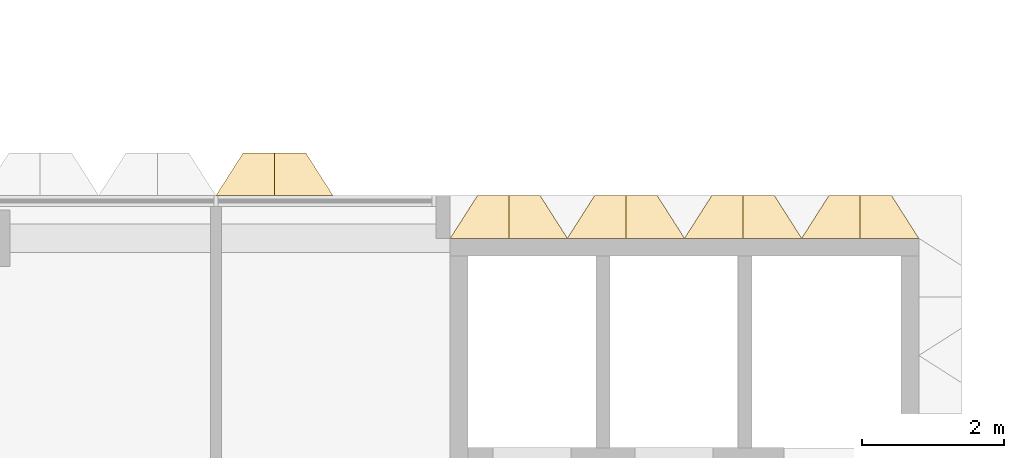
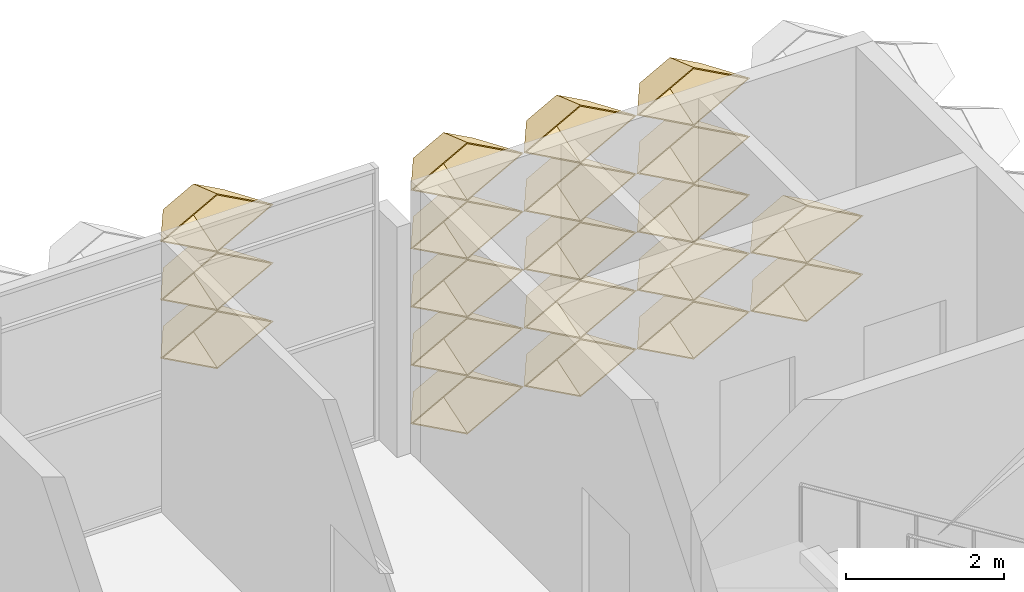
# One storey, part 37 of 39: 20 coverings.
"""IFC4 building model written with IfcOpenShell, lengths in metres."""

from ifc_helpers import new_model, entity, si_unit, direction, frame, origin, place, context, subcontext, project, spatial, material, layer, layer_set, type_object, element, save


model = new_model("IFC4")

# Units and contexts
model_context = context("Model", 3, precision=1e-05, world=origin(), true_north=direction((0.0, 1.0)))
body_context = subcontext(model_context, "Body", "Model", "MODEL_VIEW")
ifc_project = project(units=[si_unit("LENGTHUNIT", "METRE"), si_unit("AREAUNIT", "SQUARE_METRE"), si_unit("VOLUMEUNIT", "CUBIC_METRE"), si_unit("PLANEANGLEUNIT", "RADIAN"), si_unit("MASSUNIT", "GRAM", prefix="KILO")], contexts=[model_context])

# Site, building, storey
site_placement = place(None, origin())
site = spatial("IfcSite", under=ifc_project, at=site_placement, CompositionType="ELEMENT")
building_placement = place(site_placement, origin())
building = spatial("IfcBuilding", under=site, at=building_placement, Name="Lantern Court Research Institute", CompositionType="ELEMENT")
storey_placement = place(building_placement, frame((0.0, 0.0, 27.89990234375)))
storey = spatial("IfcBuildingStorey", under=building, at=storey_placement, Name="L06", CompositionType="ELEMENT", Elevation=27.89990234375)

# Coverings
ifc_material = material(Name="Anodised aluminium", Category="aluminium")
ifc_layer = layer(ifc_material, 0.01611328125)
ifc_layer_set = layer_set([ifc_layer], Name="Anodised aluminium")
covering_type = type_object("IfcCoveringType", Name="Fin cassette 1650 x 900 x 600 aluminium", PredefinedType="CLADDING", material=ifc_layer_set)
covering_1_placement = place(storey_placement, frame((73.425048828125, 23.10009765625, 0.4501953125), z_axis=(0.0, 1.0, 0.0), x_axis=(-1.0, 0.0, 0.0)))
cartesian_point_1 = entity("IfcCartesianPoint", [0.824951171875, 0.0])
cartesian_point_2 = entity("IfcCartesianPoint", [0.79150390625, 0.0])
cartesian_point_3 = entity("IfcCartesianPoint", [0.44189453125, 0.0])
cartesian_point_4 = entity("IfcCartesianPoint", [0.43359375, 0.0])
element("IfcCovering", 1, at=covering_1_placement, inside=storey, type_object=covering_type, Name="Fin cassette V5N-L06 1.45", PredefinedType="CLADDING", context=body_context, shape_type="SweptSolid", body=[
    entity("IfcExtrudedAreaSolidTapered", entity("IfcArbitraryProfileDefWithVoids", "AREA", None, entity("IfcPolyline", [cartesian_point_1, entity("IfcCartesianPoint", [0.0, 0.449951171875]), entity("IfcCartesianPoint", [-0.824951171875, 0.0]), entity("IfcCartesianPoint", [0.0, -0.449951171875]), cartesian_point_1]), [entity("IfcPolyline", [cartesian_point_2, entity("IfcCartesianPoint", [0.0, 0.431884765625]), entity("IfcCartesianPoint", [-0.79150390625, 0.0]), entity("IfcCartesianPoint", [0.0, -0.431884765625]), cartesian_point_2])]), entity("IfcAxis2Placement3D", entity("IfcCartesianPoint", [0.0, 0.0, 0.0])), entity("IfcDirection", [0.0, 0.0, 1.0]), 0.60009765625, entity("IfcArbitraryProfileDefWithVoids", "AREA", None, entity("IfcPolyline", [cartesian_point_3, entity("IfcCartesianPoint", [0.0, 0.240966796875]), entity("IfcCartesianPoint", [-0.44189453125, 0.0]), entity("IfcCartesianPoint", [0.0, -0.240966796875]), cartesian_point_3]), [entity("IfcPolyline", [cartesian_point_4, entity("IfcCartesianPoint", [0.0, 0.236572265625]), entity("IfcCartesianPoint", [-0.43359375, 0.0]), entity("IfcCartesianPoint", [0.0, -0.236572265625]), cartesian_point_4])])),
])
covering_2_placement = place(storey_placement, frame((75.074951171875, 23.10009765625, 0.4501953125), z_axis=(0.0, 1.0, 0.0), x_axis=(-1.0, 0.0, 0.0)))
cartesian_point_5 = entity("IfcCartesianPoint", [0.824951171875, 0.0])
cartesian_point_6 = entity("IfcCartesianPoint", [0.79150390625, 0.0])
cartesian_point_7 = entity("IfcCartesianPoint", [0.44189453125, 0.0])
cartesian_point_8 = entity("IfcCartesianPoint", [0.43359375, 0.0])
element("IfcCovering", 2, at=covering_2_placement, inside=storey, type_object=covering_type, Name="Fin cassette V5N-L06 1.46", PredefinedType="CLADDING", context=body_context, shape_type="SweptSolid", body=[
    entity("IfcExtrudedAreaSolidTapered", entity("IfcArbitraryProfileDefWithVoids", "AREA", None, entity("IfcPolyline", [cartesian_point_5, entity("IfcCartesianPoint", [0.0, 0.449951171875]), entity("IfcCartesianPoint", [-0.824951171875, 0.0]), entity("IfcCartesianPoint", [0.0, -0.449951171875]), cartesian_point_5]), [entity("IfcPolyline", [cartesian_point_6, entity("IfcCartesianPoint", [0.0, 0.431884765625]), entity("IfcCartesianPoint", [-0.79150390625, 0.0]), entity("IfcCartesianPoint", [0.0, -0.431884765625]), cartesian_point_6])]), entity("IfcAxis2Placement3D", entity("IfcCartesianPoint", [0.0, 0.0, 0.0])), entity("IfcDirection", [0.0, 0.0, 1.0]), 0.60009765625, entity("IfcArbitraryProfileDefWithVoids", "AREA", None, entity("IfcPolyline", [cartesian_point_7, entity("IfcCartesianPoint", [0.0, 0.240966796875]), entity("IfcCartesianPoint", [-0.44189453125, 0.0]), entity("IfcCartesianPoint", [0.0, -0.240966796875]), cartesian_point_7]), [entity("IfcPolyline", [cartesian_point_8, entity("IfcCartesianPoint", [0.0, 0.236572265625]), entity("IfcCartesianPoint", [-0.43359375, 0.0]), entity("IfcCartesianPoint", [0.0, -0.236572265625]), cartesian_point_8])])),
])
covering_3_placement = place(storey_placement, frame((76.72509765625, 23.10009765625, 0.4501953125), z_axis=(0.0, 1.0, 0.0), x_axis=(-1.0, 0.0, 0.0)))
cartesian_point_9 = entity("IfcCartesianPoint", [0.824951171875, 0.0])
cartesian_point_10 = entity("IfcCartesianPoint", [0.79150390625, 0.0])
cartesian_point_11 = entity("IfcCartesianPoint", [0.44189453125, 0.0])
cartesian_point_12 = entity("IfcCartesianPoint", [0.43359375, 0.0])
element("IfcCovering", 3, at=covering_3_placement, inside=storey, type_object=covering_type, Name="Fin cassette V5N-L06 1.47", PredefinedType="CLADDING", context=body_context, shape_type="SweptSolid", body=[
    entity("IfcExtrudedAreaSolidTapered", entity("IfcArbitraryProfileDefWithVoids", "AREA", None, entity("IfcPolyline", [cartesian_point_9, entity("IfcCartesianPoint", [0.0, 0.449951171875]), entity("IfcCartesianPoint", [-0.824951171875, 0.0]), entity("IfcCartesianPoint", [0.0, -0.449951171875]), cartesian_point_9]), [entity("IfcPolyline", [cartesian_point_10, entity("IfcCartesianPoint", [0.0, 0.431884765625]), entity("IfcCartesianPoint", [-0.79150390625, 0.0]), entity("IfcCartesianPoint", [0.0, -0.431884765625]), cartesian_point_10])]), entity("IfcAxis2Placement3D", entity("IfcCartesianPoint", [0.0, 0.0, 0.0])), entity("IfcDirection", [0.0, 0.0, 1.0]), 0.60009765625, entity("IfcArbitraryProfileDefWithVoids", "AREA", None, entity("IfcPolyline", [cartesian_point_11, entity("IfcCartesianPoint", [0.0, 0.240966796875]), entity("IfcCartesianPoint", [-0.44189453125, 0.0]), entity("IfcCartesianPoint", [0.0, -0.240966796875]), cartesian_point_11]), [entity("IfcPolyline", [cartesian_point_12, entity("IfcCartesianPoint", [0.0, 0.236572265625]), entity("IfcCartesianPoint", [-0.43359375, 0.0]), entity("IfcCartesianPoint", [0.0, -0.236572265625]), cartesian_point_12])])),
])
covering_4_placement = place(storey_placement, frame((78.375, 23.10009765625, 0.4501953125), z_axis=(0.0, 1.0, 0.0), x_axis=(-1.0, 0.0, 0.0)))
cartesian_point_13 = entity("IfcCartesianPoint", [0.824951171875, 0.0])
cartesian_point_14 = entity("IfcCartesianPoint", [0.79150390625, 0.0])
cartesian_point_15 = entity("IfcCartesianPoint", [0.44189453125, 0.0])
cartesian_point_16 = entity("IfcCartesianPoint", [0.43359375, 0.0])
element("IfcCovering", 4, at=covering_4_placement, inside=storey, type_object=covering_type, Name="Fin cassette V5N-L06 1.48", PredefinedType="CLADDING", context=body_context, shape_type="SweptSolid", body=[
    entity("IfcExtrudedAreaSolidTapered", entity("IfcArbitraryProfileDefWithVoids", "AREA", None, entity("IfcPolyline", [cartesian_point_13, entity("IfcCartesianPoint", [0.0, 0.449951171875]), entity("IfcCartesianPoint", [-0.824951171875, 0.0]), entity("IfcCartesianPoint", [0.0, -0.449951171875]), cartesian_point_13]), [entity("IfcPolyline", [cartesian_point_14, entity("IfcCartesianPoint", [0.0, 0.431884765625]), entity("IfcCartesianPoint", [-0.79150390625, 0.0]), entity("IfcCartesianPoint", [0.0, -0.431884765625]), cartesian_point_14])]), entity("IfcAxis2Placement3D", entity("IfcCartesianPoint", [0.0, 0.0, 0.0])), entity("IfcDirection", [0.0, 0.0, 1.0]), 0.60009765625, entity("IfcArbitraryProfileDefWithVoids", "AREA", None, entity("IfcPolyline", [cartesian_point_15, entity("IfcCartesianPoint", [0.0, 0.240966796875]), entity("IfcCartesianPoint", [-0.44189453125, 0.0]), entity("IfcCartesianPoint", [0.0, -0.240966796875]), cartesian_point_15]), [entity("IfcPolyline", [cartesian_point_16, entity("IfcCartesianPoint", [0.0, 0.236572265625]), entity("IfcCartesianPoint", [-0.43359375, 0.0]), entity("IfcCartesianPoint", [0.0, -0.236572265625]), cartesian_point_16])])),
])
covering_5_placement = place(storey_placement, frame((73.425048828125, 23.10009765625, 1.35009765625), z_axis=(0.0, 1.0, 0.0), x_axis=(-1.0, 0.0, 0.0)))
cartesian_point_17 = entity("IfcCartesianPoint", [0.824951171875, 0.0])
cartesian_point_18 = entity("IfcCartesianPoint", [0.79150390625, 0.0])
cartesian_point_19 = entity("IfcCartesianPoint", [0.44189453125, 0.0])
cartesian_point_20 = entity("IfcCartesianPoint", [0.43359375, 0.0])
element("IfcCovering", 5, at=covering_5_placement, inside=storey, type_object=covering_type, Name="Fin cassette V5N-L06 2.45", PredefinedType="CLADDING", context=body_context, shape_type="SweptSolid", body=[
    entity("IfcExtrudedAreaSolidTapered", entity("IfcArbitraryProfileDefWithVoids", "AREA", None, entity("IfcPolyline", [cartesian_point_17, entity("IfcCartesianPoint", [0.0, 0.449951171875]), entity("IfcCartesianPoint", [-0.824951171875, 0.0]), entity("IfcCartesianPoint", [0.0, -0.449951171875]), cartesian_point_17]), [entity("IfcPolyline", [cartesian_point_18, entity("IfcCartesianPoint", [0.0, 0.431884765625]), entity("IfcCartesianPoint", [-0.79150390625, 0.0]), entity("IfcCartesianPoint", [0.0, -0.431884765625]), cartesian_point_18])]), entity("IfcAxis2Placement3D", entity("IfcCartesianPoint", [0.0, 0.0, 0.0])), entity("IfcDirection", [0.0, 0.0, 1.0]), 0.60009765625, entity("IfcArbitraryProfileDefWithVoids", "AREA", None, entity("IfcPolyline", [cartesian_point_19, entity("IfcCartesianPoint", [0.0, 0.240966796875]), entity("IfcCartesianPoint", [-0.44189453125, 0.0]), entity("IfcCartesianPoint", [0.0, -0.240966796875]), cartesian_point_19]), [entity("IfcPolyline", [cartesian_point_20, entity("IfcCartesianPoint", [0.0, 0.236572265625]), entity("IfcCartesianPoint", [-0.43359375, 0.0]), entity("IfcCartesianPoint", [0.0, -0.236572265625]), cartesian_point_20])])),
])
covering_6_placement = place(storey_placement, frame((75.074951171875, 23.10009765625, 1.35009765625), z_axis=(0.0, 1.0, 0.0), x_axis=(-1.0, 0.0, 0.0)))
cartesian_point_21 = entity("IfcCartesianPoint", [0.824951171875, 0.0])
cartesian_point_22 = entity("IfcCartesianPoint", [0.79150390625, 0.0])
cartesian_point_23 = entity("IfcCartesianPoint", [0.44189453125, 0.0])
cartesian_point_24 = entity("IfcCartesianPoint", [0.43359375, 0.0])
element("IfcCovering", 6, at=covering_6_placement, inside=storey, type_object=covering_type, Name="Fin cassette V5N-L06 2.46", PredefinedType="CLADDING", context=body_context, shape_type="SweptSolid", body=[
    entity("IfcExtrudedAreaSolidTapered", entity("IfcArbitraryProfileDefWithVoids", "AREA", None, entity("IfcPolyline", [cartesian_point_21, entity("IfcCartesianPoint", [0.0, 0.449951171875]), entity("IfcCartesianPoint", [-0.824951171875, 0.0]), entity("IfcCartesianPoint", [0.0, -0.449951171875]), cartesian_point_21]), [entity("IfcPolyline", [cartesian_point_22, entity("IfcCartesianPoint", [0.0, 0.431884765625]), entity("IfcCartesianPoint", [-0.79150390625, 0.0]), entity("IfcCartesianPoint", [0.0, -0.431884765625]), cartesian_point_22])]), entity("IfcAxis2Placement3D", entity("IfcCartesianPoint", [0.0, 0.0, 0.0])), entity("IfcDirection", [0.0, 0.0, 1.0]), 0.60009765625, entity("IfcArbitraryProfileDefWithVoids", "AREA", None, entity("IfcPolyline", [cartesian_point_23, entity("IfcCartesianPoint", [0.0, 0.240966796875]), entity("IfcCartesianPoint", [-0.44189453125, 0.0]), entity("IfcCartesianPoint", [0.0, -0.240966796875]), cartesian_point_23]), [entity("IfcPolyline", [cartesian_point_24, entity("IfcCartesianPoint", [0.0, 0.236572265625]), entity("IfcCartesianPoint", [-0.43359375, 0.0]), entity("IfcCartesianPoint", [0.0, -0.236572265625]), cartesian_point_24])])),
])
covering_7_placement = place(storey_placement, frame((76.72509765625, 23.10009765625, 1.35009765625), z_axis=(0.0, 1.0, 0.0), x_axis=(-1.0, 0.0, 0.0)))
cartesian_point_25 = entity("IfcCartesianPoint", [0.824951171875, 0.0])
cartesian_point_26 = entity("IfcCartesianPoint", [0.79150390625, 0.0])
cartesian_point_27 = entity("IfcCartesianPoint", [0.44189453125, 0.0])
cartesian_point_28 = entity("IfcCartesianPoint", [0.43359375, 0.0])
element("IfcCovering", 7, at=covering_7_placement, inside=storey, type_object=covering_type, Name="Fin cassette V5N-L06 2.47", PredefinedType="CLADDING", context=body_context, shape_type="SweptSolid", body=[
    entity("IfcExtrudedAreaSolidTapered", entity("IfcArbitraryProfileDefWithVoids", "AREA", None, entity("IfcPolyline", [cartesian_point_25, entity("IfcCartesianPoint", [0.0, 0.449951171875]), entity("IfcCartesianPoint", [-0.824951171875, 0.0]), entity("IfcCartesianPoint", [0.0, -0.449951171875]), cartesian_point_25]), [entity("IfcPolyline", [cartesian_point_26, entity("IfcCartesianPoint", [0.0, 0.431884765625]), entity("IfcCartesianPoint", [-0.79150390625, 0.0]), entity("IfcCartesianPoint", [0.0, -0.431884765625]), cartesian_point_26])]), entity("IfcAxis2Placement3D", entity("IfcCartesianPoint", [0.0, 0.0, 0.0])), entity("IfcDirection", [0.0, 0.0, 1.0]), 0.60009765625, entity("IfcArbitraryProfileDefWithVoids", "AREA", None, entity("IfcPolyline", [cartesian_point_27, entity("IfcCartesianPoint", [0.0, 0.240966796875]), entity("IfcCartesianPoint", [-0.44189453125, 0.0]), entity("IfcCartesianPoint", [0.0, -0.240966796875]), cartesian_point_27]), [entity("IfcPolyline", [cartesian_point_28, entity("IfcCartesianPoint", [0.0, 0.236572265625]), entity("IfcCartesianPoint", [-0.43359375, 0.0]), entity("IfcCartesianPoint", [0.0, -0.236572265625]), cartesian_point_28])])),
])
covering_8_placement = place(storey_placement, frame((78.375, 23.10009765625, 1.35009765625), z_axis=(0.0, 1.0, 0.0), x_axis=(-1.0, 0.0, 0.0)))
cartesian_point_29 = entity("IfcCartesianPoint", [0.824951171875, 0.0])
cartesian_point_30 = entity("IfcCartesianPoint", [0.79150390625, 0.0])
cartesian_point_31 = entity("IfcCartesianPoint", [0.44189453125, 0.0])
cartesian_point_32 = entity("IfcCartesianPoint", [0.43359375, 0.0])
element("IfcCovering", 8, at=covering_8_placement, inside=storey, type_object=covering_type, Name="Fin cassette V5N-L06 2.48", PredefinedType="CLADDING", context=body_context, shape_type="SweptSolid", body=[
    entity("IfcExtrudedAreaSolidTapered", entity("IfcArbitraryProfileDefWithVoids", "AREA", None, entity("IfcPolyline", [cartesian_point_29, entity("IfcCartesianPoint", [0.0, 0.449951171875]), entity("IfcCartesianPoint", [-0.824951171875, 0.0]), entity("IfcCartesianPoint", [0.0, -0.449951171875]), cartesian_point_29]), [entity("IfcPolyline", [cartesian_point_30, entity("IfcCartesianPoint", [0.0, 0.431884765625]), entity("IfcCartesianPoint", [-0.79150390625, 0.0]), entity("IfcCartesianPoint", [0.0, -0.431884765625]), cartesian_point_30])]), entity("IfcAxis2Placement3D", entity("IfcCartesianPoint", [0.0, 0.0, 0.0])), entity("IfcDirection", [0.0, 0.0, 1.0]), 0.60009765625, entity("IfcArbitraryProfileDefWithVoids", "AREA", None, entity("IfcPolyline", [cartesian_point_31, entity("IfcCartesianPoint", [0.0, 0.240966796875]), entity("IfcCartesianPoint", [-0.44189453125, 0.0]), entity("IfcCartesianPoint", [0.0, -0.240966796875]), cartesian_point_31]), [entity("IfcPolyline", [cartesian_point_32, entity("IfcCartesianPoint", [0.0, 0.236572265625]), entity("IfcCartesianPoint", [-0.43359375, 0.0]), entity("IfcCartesianPoint", [0.0, -0.236572265625]), cartesian_point_32])])),
])
covering_9_placement = place(storey_placement, frame((73.425048828125, 23.10009765625, 2.25), z_axis=(0.0, 1.0, 0.0), x_axis=(-1.0, 0.0, 0.0)))
cartesian_point_33 = entity("IfcCartesianPoint", [0.824951171875, 0.0])
cartesian_point_34 = entity("IfcCartesianPoint", [0.79150390625, 0.0])
cartesian_point_35 = entity("IfcCartesianPoint", [0.44189453125, 0.0])
cartesian_point_36 = entity("IfcCartesianPoint", [0.43359375, 0.0])
element("IfcCovering", 9, at=covering_9_placement, inside=storey, type_object=covering_type, Name="Fin cassette V5N-L06 3.45", PredefinedType="CLADDING", context=body_context, shape_type="SweptSolid", body=[
    entity("IfcExtrudedAreaSolidTapered", entity("IfcArbitraryProfileDefWithVoids", "AREA", None, entity("IfcPolyline", [cartesian_point_33, entity("IfcCartesianPoint", [0.0, 0.449951171875]), entity("IfcCartesianPoint", [-0.824951171875, 0.0]), entity("IfcCartesianPoint", [0.0, -0.449951171875]), cartesian_point_33]), [entity("IfcPolyline", [cartesian_point_34, entity("IfcCartesianPoint", [0.0, 0.431884765625]), entity("IfcCartesianPoint", [-0.79150390625, 0.0]), entity("IfcCartesianPoint", [0.0, -0.431884765625]), cartesian_point_34])]), entity("IfcAxis2Placement3D", entity("IfcCartesianPoint", [0.0, 0.0, 0.0])), entity("IfcDirection", [0.0, 0.0, 1.0]), 0.60009765625, entity("IfcArbitraryProfileDefWithVoids", "AREA", None, entity("IfcPolyline", [cartesian_point_35, entity("IfcCartesianPoint", [0.0, 0.240966796875]), entity("IfcCartesianPoint", [-0.44189453125, 0.0]), entity("IfcCartesianPoint", [0.0, -0.240966796875]), cartesian_point_35]), [entity("IfcPolyline", [cartesian_point_36, entity("IfcCartesianPoint", [0.0, 0.236572265625]), entity("IfcCartesianPoint", [-0.43359375, 0.0]), entity("IfcCartesianPoint", [0.0, -0.236572265625]), cartesian_point_36])])),
])
covering_10_placement = place(storey_placement, frame((75.074951171875, 23.10009765625, 2.25), z_axis=(0.0, 1.0, 0.0), x_axis=(-1.0, 0.0, 0.0)))
cartesian_point_37 = entity("IfcCartesianPoint", [0.824951171875, 0.0])
cartesian_point_38 = entity("IfcCartesianPoint", [0.79150390625, 0.0])
cartesian_point_39 = entity("IfcCartesianPoint", [0.44189453125, 0.0])
cartesian_point_40 = entity("IfcCartesianPoint", [0.43359375, 0.0])
element("IfcCovering", 10, at=covering_10_placement, inside=storey, type_object=covering_type, Name="Fin cassette V5N-L06 3.46", PredefinedType="CLADDING", context=body_context, shape_type="SweptSolid", body=[
    entity("IfcExtrudedAreaSolidTapered", entity("IfcArbitraryProfileDefWithVoids", "AREA", None, entity("IfcPolyline", [cartesian_point_37, entity("IfcCartesianPoint", [0.0, 0.449951171875]), entity("IfcCartesianPoint", [-0.824951171875, 0.0]), entity("IfcCartesianPoint", [0.0, -0.449951171875]), cartesian_point_37]), [entity("IfcPolyline", [cartesian_point_38, entity("IfcCartesianPoint", [0.0, 0.431884765625]), entity("IfcCartesianPoint", [-0.79150390625, 0.0]), entity("IfcCartesianPoint", [0.0, -0.431884765625]), cartesian_point_38])]), entity("IfcAxis2Placement3D", entity("IfcCartesianPoint", [0.0, 0.0, 0.0])), entity("IfcDirection", [0.0, 0.0, 1.0]), 0.60009765625, entity("IfcArbitraryProfileDefWithVoids", "AREA", None, entity("IfcPolyline", [cartesian_point_39, entity("IfcCartesianPoint", [0.0, 0.240966796875]), entity("IfcCartesianPoint", [-0.44189453125, 0.0]), entity("IfcCartesianPoint", [0.0, -0.240966796875]), cartesian_point_39]), [entity("IfcPolyline", [cartesian_point_40, entity("IfcCartesianPoint", [0.0, 0.236572265625]), entity("IfcCartesianPoint", [-0.43359375, 0.0]), entity("IfcCartesianPoint", [0.0, -0.236572265625]), cartesian_point_40])])),
])
covering_11_placement = place(storey_placement, frame((76.72509765625, 23.10009765625, 2.25), z_axis=(0.0, 1.0, 0.0), x_axis=(-1.0, 0.0, 0.0)))
cartesian_point_41 = entity("IfcCartesianPoint", [0.824951171875, 0.0])
cartesian_point_42 = entity("IfcCartesianPoint", [0.79150390625, 0.0])
cartesian_point_43 = entity("IfcCartesianPoint", [0.44189453125, 0.0])
cartesian_point_44 = entity("IfcCartesianPoint", [0.43359375, 0.0])
element("IfcCovering", 11, at=covering_11_placement, inside=storey, type_object=covering_type, Name="Fin cassette V5N-L06 3.47", PredefinedType="CLADDING", context=body_context, shape_type="SweptSolid", body=[
    entity("IfcExtrudedAreaSolidTapered", entity("IfcArbitraryProfileDefWithVoids", "AREA", None, entity("IfcPolyline", [cartesian_point_41, entity("IfcCartesianPoint", [0.0, 0.449951171875]), entity("IfcCartesianPoint", [-0.824951171875, 0.0]), entity("IfcCartesianPoint", [0.0, -0.449951171875]), cartesian_point_41]), [entity("IfcPolyline", [cartesian_point_42, entity("IfcCartesianPoint", [0.0, 0.431884765625]), entity("IfcCartesianPoint", [-0.79150390625, 0.0]), entity("IfcCartesianPoint", [0.0, -0.431884765625]), cartesian_point_42])]), entity("IfcAxis2Placement3D", entity("IfcCartesianPoint", [0.0, 0.0, 0.0])), entity("IfcDirection", [0.0, 0.0, 1.0]), 0.60009765625, entity("IfcArbitraryProfileDefWithVoids", "AREA", None, entity("IfcPolyline", [cartesian_point_43, entity("IfcCartesianPoint", [0.0, 0.240966796875]), entity("IfcCartesianPoint", [-0.44189453125, 0.0]), entity("IfcCartesianPoint", [0.0, -0.240966796875]), cartesian_point_43]), [entity("IfcPolyline", [cartesian_point_44, entity("IfcCartesianPoint", [0.0, 0.236572265625]), entity("IfcCartesianPoint", [-0.43359375, 0.0]), entity("IfcCartesianPoint", [0.0, -0.236572265625]), cartesian_point_44])])),
])
covering_12_placement = place(storey_placement, frame((73.425048828125, 23.10009765625, 3.150146484375), z_axis=(0.0, 1.0, 0.0), x_axis=(-1.0, 0.0, 0.0)))
cartesian_point_45 = entity("IfcCartesianPoint", [0.824951171875, 0.0])
cartesian_point_46 = entity("IfcCartesianPoint", [0.79150390625, 0.0])
cartesian_point_47 = entity("IfcCartesianPoint", [0.44189453125, 0.0])
cartesian_point_48 = entity("IfcCartesianPoint", [0.43359375, 0.0])
element("IfcCovering", 12, at=covering_12_placement, inside=storey, type_object=covering_type, Name="Fin cassette V5N-L06 4.45", PredefinedType="CLADDING", context=body_context, shape_type="SweptSolid", body=[
    entity("IfcExtrudedAreaSolidTapered", entity("IfcArbitraryProfileDefWithVoids", "AREA", None, entity("IfcPolyline", [cartesian_point_45, entity("IfcCartesianPoint", [0.0, 0.449951171875]), entity("IfcCartesianPoint", [-0.824951171875, 0.0]), entity("IfcCartesianPoint", [0.0, -0.449951171875]), cartesian_point_45]), [entity("IfcPolyline", [cartesian_point_46, entity("IfcCartesianPoint", [0.0, 0.431884765625]), entity("IfcCartesianPoint", [-0.79150390625, 0.0]), entity("IfcCartesianPoint", [0.0, -0.431884765625]), cartesian_point_46])]), entity("IfcAxis2Placement3D", entity("IfcCartesianPoint", [0.0, 0.0, 0.0])), entity("IfcDirection", [0.0, 0.0, 1.0]), 0.60009765625, entity("IfcArbitraryProfileDefWithVoids", "AREA", None, entity("IfcPolyline", [cartesian_point_47, entity("IfcCartesianPoint", [0.0, 0.240966796875]), entity("IfcCartesianPoint", [-0.44189453125, 0.0]), entity("IfcCartesianPoint", [0.0, -0.240966796875]), cartesian_point_47]), [entity("IfcPolyline", [cartesian_point_48, entity("IfcCartesianPoint", [0.0, 0.236572265625]), entity("IfcCartesianPoint", [-0.43359375, 0.0]), entity("IfcCartesianPoint", [0.0, -0.236572265625]), cartesian_point_48])])),
])
covering_13_placement = place(storey_placement, frame((75.074951171875, 23.10009765625, 3.150146484375), z_axis=(0.0, 1.0, 0.0), x_axis=(-1.0, 0.0, 0.0)))
cartesian_point_49 = entity("IfcCartesianPoint", [0.824951171875, 0.0])
cartesian_point_50 = entity("IfcCartesianPoint", [0.79150390625, 0.0])
cartesian_point_51 = entity("IfcCartesianPoint", [0.44189453125, 0.0])
cartesian_point_52 = entity("IfcCartesianPoint", [0.43359375, 0.0])
element("IfcCovering", 13, at=covering_13_placement, inside=storey, type_object=covering_type, Name="Fin cassette V5N-L06 4.46", PredefinedType="CLADDING", context=body_context, shape_type="SweptSolid", body=[
    entity("IfcExtrudedAreaSolidTapered", entity("IfcArbitraryProfileDefWithVoids", "AREA", None, entity("IfcPolyline", [cartesian_point_49, entity("IfcCartesianPoint", [0.0, 0.449951171875]), entity("IfcCartesianPoint", [-0.824951171875, 0.0]), entity("IfcCartesianPoint", [0.0, -0.449951171875]), cartesian_point_49]), [entity("IfcPolyline", [cartesian_point_50, entity("IfcCartesianPoint", [0.0, 0.431884765625]), entity("IfcCartesianPoint", [-0.79150390625, 0.0]), entity("IfcCartesianPoint", [0.0, -0.431884765625]), cartesian_point_50])]), entity("IfcAxis2Placement3D", entity("IfcCartesianPoint", [0.0, 0.0, 0.0])), entity("IfcDirection", [0.0, 0.0, 1.0]), 0.60009765625, entity("IfcArbitraryProfileDefWithVoids", "AREA", None, entity("IfcPolyline", [cartesian_point_51, entity("IfcCartesianPoint", [0.0, 0.240966796875]), entity("IfcCartesianPoint", [-0.44189453125, 0.0]), entity("IfcCartesianPoint", [0.0, -0.240966796875]), cartesian_point_51]), [entity("IfcPolyline", [cartesian_point_52, entity("IfcCartesianPoint", [0.0, 0.236572265625]), entity("IfcCartesianPoint", [-0.43359375, 0.0]), entity("IfcCartesianPoint", [0.0, -0.236572265625]), cartesian_point_52])])),
])
covering_14_placement = place(storey_placement, frame((76.72509765625, 23.10009765625, 3.150146484375), z_axis=(0.0, 1.0, 0.0), x_axis=(-1.0, 0.0, 0.0)))
cartesian_point_53 = entity("IfcCartesianPoint", [0.824951171875, 0.0])
cartesian_point_54 = entity("IfcCartesianPoint", [0.79150390625, 0.0])
cartesian_point_55 = entity("IfcCartesianPoint", [0.44189453125, 0.0])
cartesian_point_56 = entity("IfcCartesianPoint", [0.43359375, 0.0])
element("IfcCovering", 14, at=covering_14_placement, inside=storey, type_object=covering_type, Name="Fin cassette V5N-L06 4.47", PredefinedType="CLADDING", context=body_context, shape_type="SweptSolid", body=[
    entity("IfcExtrudedAreaSolidTapered", entity("IfcArbitraryProfileDefWithVoids", "AREA", None, entity("IfcPolyline", [cartesian_point_53, entity("IfcCartesianPoint", [0.0, 0.449951171875]), entity("IfcCartesianPoint", [-0.824951171875, 0.0]), entity("IfcCartesianPoint", [0.0, -0.449951171875]), cartesian_point_53]), [entity("IfcPolyline", [cartesian_point_54, entity("IfcCartesianPoint", [0.0, 0.431884765625]), entity("IfcCartesianPoint", [-0.79150390625, 0.0]), entity("IfcCartesianPoint", [0.0, -0.431884765625]), cartesian_point_54])]), entity("IfcAxis2Placement3D", entity("IfcCartesianPoint", [0.0, 0.0, 0.0])), entity("IfcDirection", [0.0, 0.0, 1.0]), 0.60009765625, entity("IfcArbitraryProfileDefWithVoids", "AREA", None, entity("IfcPolyline", [cartesian_point_55, entity("IfcCartesianPoint", [0.0, 0.240966796875]), entity("IfcCartesianPoint", [-0.44189453125, 0.0]), entity("IfcCartesianPoint", [0.0, -0.240966796875]), cartesian_point_55]), [entity("IfcPolyline", [cartesian_point_56, entity("IfcCartesianPoint", [0.0, 0.236572265625]), entity("IfcCartesianPoint", [-0.43359375, 0.0]), entity("IfcCartesianPoint", [0.0, -0.236572265625]), cartesian_point_56])])),
])
covering_15_placement = place(storey_placement, frame((73.425048828125, 23.10009765625, 4.050048828125), z_axis=(0.0, 1.0, 0.0), x_axis=(-1.0, 0.0, 0.0)))
cartesian_point_57 = entity("IfcCartesianPoint", [0.824951171875, 0.0])
cartesian_point_58 = entity("IfcCartesianPoint", [0.79150390625, 0.0])
cartesian_point_59 = entity("IfcCartesianPoint", [0.44189453125, 0.0])
cartesian_point_60 = entity("IfcCartesianPoint", [0.43359375, 0.0])
element("IfcCovering", 15, at=covering_15_placement, inside=storey, type_object=covering_type, Name="Fin cassette V5N-L06 5.45", PredefinedType="CLADDING", context=body_context, shape_type="SweptSolid", body=[
    entity("IfcExtrudedAreaSolidTapered", entity("IfcArbitraryProfileDefWithVoids", "AREA", None, entity("IfcPolyline", [cartesian_point_57, entity("IfcCartesianPoint", [0.0, 0.449951171875]), entity("IfcCartesianPoint", [-0.824951171875, 0.0]), entity("IfcCartesianPoint", [0.0, -0.449951171875]), cartesian_point_57]), [entity("IfcPolyline", [cartesian_point_58, entity("IfcCartesianPoint", [0.0, 0.431884765625]), entity("IfcCartesianPoint", [-0.79150390625, 0.0]), entity("IfcCartesianPoint", [0.0, -0.431884765625]), cartesian_point_58])]), entity("IfcAxis2Placement3D", entity("IfcCartesianPoint", [0.0, 0.0, 0.0])), entity("IfcDirection", [0.0, 0.0, 1.0]), 0.60009765625, entity("IfcArbitraryProfileDefWithVoids", "AREA", None, entity("IfcPolyline", [cartesian_point_59, entity("IfcCartesianPoint", [0.0, 0.240966796875]), entity("IfcCartesianPoint", [-0.44189453125, 0.0]), entity("IfcCartesianPoint", [0.0, -0.240966796875]), cartesian_point_59]), [entity("IfcPolyline", [cartesian_point_60, entity("IfcCartesianPoint", [0.0, 0.236572265625]), entity("IfcCartesianPoint", [-0.43359375, 0.0]), entity("IfcCartesianPoint", [0.0, -0.236572265625]), cartesian_point_60])])),
])
covering_16_placement = place(storey_placement, frame((75.074951171875, 23.10009765625, 4.050048828125), z_axis=(0.0, 1.0, 0.0), x_axis=(-1.0, 0.0, 0.0)))
cartesian_point_61 = entity("IfcCartesianPoint", [0.824951171875, 0.0])
cartesian_point_62 = entity("IfcCartesianPoint", [0.79150390625, 0.0])
cartesian_point_63 = entity("IfcCartesianPoint", [0.44189453125, 0.0])
cartesian_point_64 = entity("IfcCartesianPoint", [0.43359375, 0.0])
element("IfcCovering", 16, at=covering_16_placement, inside=storey, type_object=covering_type, Name="Fin cassette V5N-L06 5.46", PredefinedType="CLADDING", context=body_context, shape_type="SweptSolid", body=[
    entity("IfcExtrudedAreaSolidTapered", entity("IfcArbitraryProfileDefWithVoids", "AREA", None, entity("IfcPolyline", [cartesian_point_61, entity("IfcCartesianPoint", [0.0, 0.449951171875]), entity("IfcCartesianPoint", [-0.824951171875, 0.0]), entity("IfcCartesianPoint", [0.0, -0.449951171875]), cartesian_point_61]), [entity("IfcPolyline", [cartesian_point_62, entity("IfcCartesianPoint", [0.0, 0.431884765625]), entity("IfcCartesianPoint", [-0.79150390625, 0.0]), entity("IfcCartesianPoint", [0.0, -0.431884765625]), cartesian_point_62])]), entity("IfcAxis2Placement3D", entity("IfcCartesianPoint", [0.0, 0.0, 0.0])), entity("IfcDirection", [0.0, 0.0, 1.0]), 0.60009765625, entity("IfcArbitraryProfileDefWithVoids", "AREA", None, entity("IfcPolyline", [cartesian_point_63, entity("IfcCartesianPoint", [0.0, 0.240966796875]), entity("IfcCartesianPoint", [-0.44189453125, 0.0]), entity("IfcCartesianPoint", [0.0, -0.240966796875]), cartesian_point_63]), [entity("IfcPolyline", [cartesian_point_64, entity("IfcCartesianPoint", [0.0, 0.236572265625]), entity("IfcCartesianPoint", [-0.43359375, 0.0]), entity("IfcCartesianPoint", [0.0, -0.236572265625]), cartesian_point_64])])),
])
covering_17_placement = place(storey_placement, frame((76.72509765625, 23.10009765625, 4.050048828125), z_axis=(0.0, 1.0, 0.0), x_axis=(-1.0, 0.0, 0.0)))
cartesian_point_65 = entity("IfcCartesianPoint", [0.824951171875, 0.0])
cartesian_point_66 = entity("IfcCartesianPoint", [0.79150390625, 0.0])
cartesian_point_67 = entity("IfcCartesianPoint", [0.44189453125, 0.0])
cartesian_point_68 = entity("IfcCartesianPoint", [0.43359375, 0.0])
element("IfcCovering", 17, at=covering_17_placement, inside=storey, type_object=covering_type, Name="Fin cassette V5N-L06 5.47", PredefinedType="CLADDING", context=body_context, shape_type="SweptSolid", body=[
    entity("IfcExtrudedAreaSolidTapered", entity("IfcArbitraryProfileDefWithVoids", "AREA", None, entity("IfcPolyline", [cartesian_point_65, entity("IfcCartesianPoint", [0.0, 0.449951171875]), entity("IfcCartesianPoint", [-0.824951171875, 0.0]), entity("IfcCartesianPoint", [0.0, -0.449951171875]), cartesian_point_65]), [entity("IfcPolyline", [cartesian_point_66, entity("IfcCartesianPoint", [0.0, 0.431884765625]), entity("IfcCartesianPoint", [-0.79150390625, 0.0]), entity("IfcCartesianPoint", [0.0, -0.431884765625]), cartesian_point_66])]), entity("IfcAxis2Placement3D", entity("IfcCartesianPoint", [0.0, 0.0, 0.0])), entity("IfcDirection", [0.0, 0.0, 1.0]), 0.60009765625, entity("IfcArbitraryProfileDefWithVoids", "AREA", None, entity("IfcPolyline", [cartesian_point_67, entity("IfcCartesianPoint", [0.0, 0.240966796875]), entity("IfcCartesianPoint", [-0.44189453125, 0.0]), entity("IfcCartesianPoint", [0.0, -0.240966796875]), cartesian_point_67]), [entity("IfcPolyline", [cartesian_point_68, entity("IfcCartesianPoint", [0.0, 0.236572265625]), entity("IfcCartesianPoint", [-0.43359375, 0.0]), entity("IfcCartesianPoint", [0.0, -0.236572265625]), cartesian_point_68])])),
])
covering_18_placement = place(storey_placement, frame((70.125, 23.699951171875, 2.25), z_axis=(0.0, 1.0, 0.0), x_axis=(-1.0, 0.0, 0.0)))
cartesian_point_69 = entity("IfcCartesianPoint", [0.824951171875, 0.0])
cartesian_point_70 = entity("IfcCartesianPoint", [0.79150390625, 0.0])
cartesian_point_71 = entity("IfcCartesianPoint", [0.44189453125, 0.0])
cartesian_point_72 = entity("IfcCartesianPoint", [0.43359375, 0.0])
element("IfcCovering", 18, at=covering_18_placement, inside=storey, type_object=covering_type, Name="Fin cassette V5N-L06 3.43", PredefinedType="CLADDING", context=body_context, shape_type="SweptSolid", body=[
    entity("IfcExtrudedAreaSolidTapered", entity("IfcArbitraryProfileDefWithVoids", "AREA", None, entity("IfcPolyline", [cartesian_point_69, entity("IfcCartesianPoint", [0.0, 0.449951171875]), entity("IfcCartesianPoint", [-0.824951171875, 0.0]), entity("IfcCartesianPoint", [0.0, -0.449951171875]), cartesian_point_69]), [entity("IfcPolyline", [cartesian_point_70, entity("IfcCartesianPoint", [0.0, 0.431884765625]), entity("IfcCartesianPoint", [-0.79150390625, 0.0]), entity("IfcCartesianPoint", [0.0, -0.431884765625]), cartesian_point_70])]), entity("IfcAxis2Placement3D", entity("IfcCartesianPoint", [0.0, 0.0, 0.0])), entity("IfcDirection", [0.0, 0.0, 1.0]), 0.60009765625, entity("IfcArbitraryProfileDefWithVoids", "AREA", None, entity("IfcPolyline", [cartesian_point_71, entity("IfcCartesianPoint", [0.0, 0.240966796875]), entity("IfcCartesianPoint", [-0.44189453125, 0.0]), entity("IfcCartesianPoint", [0.0, -0.240966796875]), cartesian_point_71]), [entity("IfcPolyline", [cartesian_point_72, entity("IfcCartesianPoint", [0.0, 0.236572265625]), entity("IfcCartesianPoint", [-0.43359375, 0.0]), entity("IfcCartesianPoint", [0.0, -0.236572265625]), cartesian_point_72])])),
])
covering_19_placement = place(storey_placement, frame((70.125, 23.699951171875, 3.150146484375), z_axis=(0.0, 1.0, 0.0), x_axis=(-1.0, 0.0, 0.0)))
cartesian_point_73 = entity("IfcCartesianPoint", [0.824951171875, 0.0])
cartesian_point_74 = entity("IfcCartesianPoint", [0.79150390625, 0.0])
cartesian_point_75 = entity("IfcCartesianPoint", [0.44189453125, 0.0])
cartesian_point_76 = entity("IfcCartesianPoint", [0.43359375, 0.0])
element("IfcCovering", 19, at=covering_19_placement, inside=storey, type_object=covering_type, Name="Fin cassette V5N-L06 4.43", PredefinedType="CLADDING", context=body_context, shape_type="SweptSolid", body=[
    entity("IfcExtrudedAreaSolidTapered", entity("IfcArbitraryProfileDefWithVoids", "AREA", None, entity("IfcPolyline", [cartesian_point_73, entity("IfcCartesianPoint", [0.0, 0.449951171875]), entity("IfcCartesianPoint", [-0.824951171875, 0.0]), entity("IfcCartesianPoint", [0.0, -0.449951171875]), cartesian_point_73]), [entity("IfcPolyline", [cartesian_point_74, entity("IfcCartesianPoint", [0.0, 0.431884765625]), entity("IfcCartesianPoint", [-0.79150390625, 0.0]), entity("IfcCartesianPoint", [0.0, -0.431884765625]), cartesian_point_74])]), entity("IfcAxis2Placement3D", entity("IfcCartesianPoint", [0.0, 0.0, 0.0])), entity("IfcDirection", [0.0, 0.0, 1.0]), 0.60009765625, entity("IfcArbitraryProfileDefWithVoids", "AREA", None, entity("IfcPolyline", [cartesian_point_75, entity("IfcCartesianPoint", [0.0, 0.240966796875]), entity("IfcCartesianPoint", [-0.44189453125, 0.0]), entity("IfcCartesianPoint", [0.0, -0.240966796875]), cartesian_point_75]), [entity("IfcPolyline", [cartesian_point_76, entity("IfcCartesianPoint", [0.0, 0.236572265625]), entity("IfcCartesianPoint", [-0.43359375, 0.0]), entity("IfcCartesianPoint", [0.0, -0.236572265625]), cartesian_point_76])])),
])
covering_20_placement = place(storey_placement, frame((70.125, 23.699951171875, 4.050048828125), z_axis=(0.0, 1.0, 0.0), x_axis=(-1.0, 0.0, 0.0)))
cartesian_point_77 = entity("IfcCartesianPoint", [0.824951171875, 0.0])
cartesian_point_78 = entity("IfcCartesianPoint", [0.79150390625, 0.0])
cartesian_point_79 = entity("IfcCartesianPoint", [0.44189453125, 0.0])
cartesian_point_80 = entity("IfcCartesianPoint", [0.43359375, 0.0])
element("IfcCovering", 20, at=covering_20_placement, inside=storey, type_object=covering_type, Name="Fin cassette V5N-L06 5.43", PredefinedType="CLADDING", context=body_context, shape_type="SweptSolid", body=[
    entity("IfcExtrudedAreaSolidTapered", entity("IfcArbitraryProfileDefWithVoids", "AREA", None, entity("IfcPolyline", [cartesian_point_77, entity("IfcCartesianPoint", [0.0, 0.449951171875]), entity("IfcCartesianPoint", [-0.824951171875, 0.0]), entity("IfcCartesianPoint", [0.0, -0.449951171875]), cartesian_point_77]), [entity("IfcPolyline", [cartesian_point_78, entity("IfcCartesianPoint", [0.0, 0.431884765625]), entity("IfcCartesianPoint", [-0.79150390625, 0.0]), entity("IfcCartesianPoint", [0.0, -0.431884765625]), cartesian_point_78])]), entity("IfcAxis2Placement3D", entity("IfcCartesianPoint", [0.0, 0.0, 0.0])), entity("IfcDirection", [0.0, 0.0, 1.0]), 0.60009765625, entity("IfcArbitraryProfileDefWithVoids", "AREA", None, entity("IfcPolyline", [cartesian_point_79, entity("IfcCartesianPoint", [0.0, 0.240966796875]), entity("IfcCartesianPoint", [-0.44189453125, 0.0]), entity("IfcCartesianPoint", [0.0, -0.240966796875]), cartesian_point_79]), [entity("IfcPolyline", [cartesian_point_80, entity("IfcCartesianPoint", [0.0, 0.236572265625]), entity("IfcCartesianPoint", [-0.43359375, 0.0]), entity("IfcCartesianPoint", [0.0, -0.236572265625]), cartesian_point_80])])),
])

save(model, "model.ifc")
